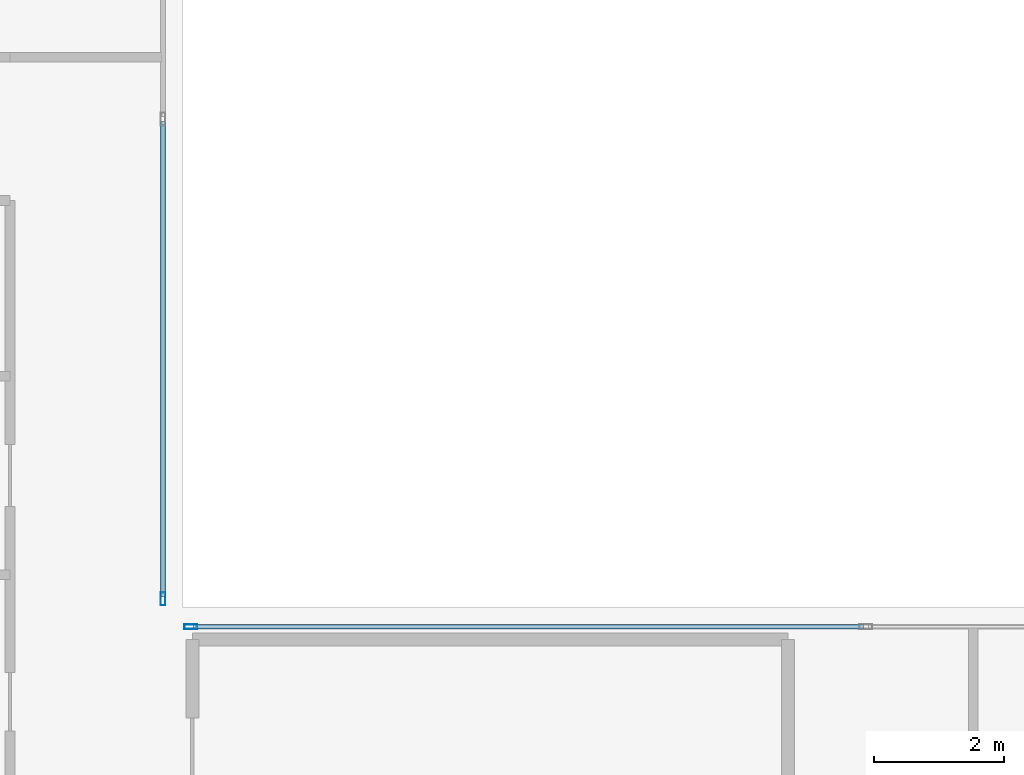
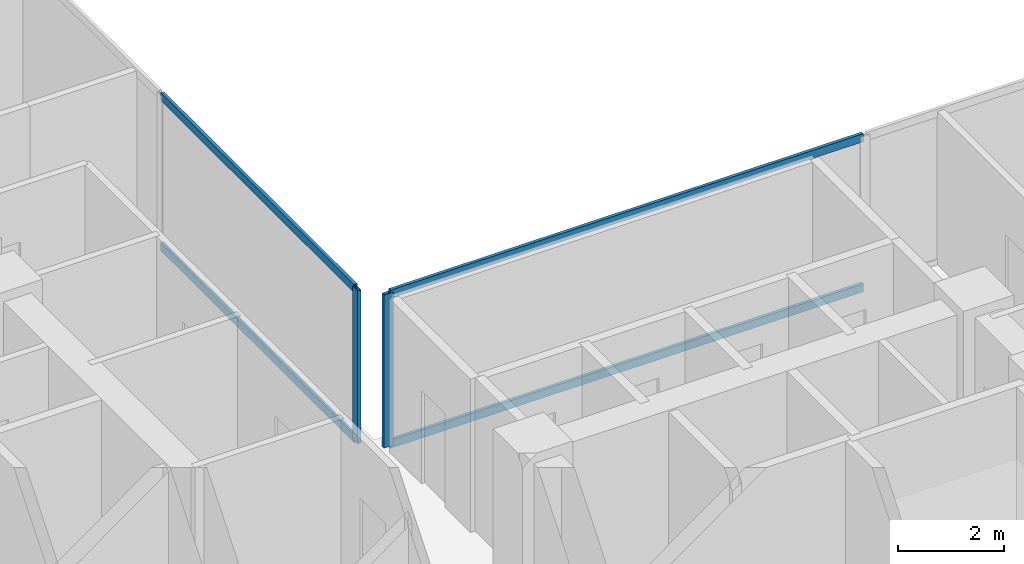
# One storey, part 8 of 24: 6 members, 2 elements without a shape of their own.
"""IFC4 building model written with IfcOpenShell, lengths in metres."""

from ifc_helpers import new_model, si_unit, direction, frame, origin, origin_2d, place, context, subcontext, project, spatial, hollow_rectangle, extrude, material, layer, layer_set, material_profile, profile_set, type_object, element, aggregate, save


model = new_model("IFC4")

# Units and contexts
model_context = context("Model", 3, precision=1e-05, world=origin(), true_north=direction((0.0, 1.0)))
body_context = subcontext(model_context, "Body", "Model", "MODEL_VIEW")
ifc_project = project(units=[si_unit("LENGTHUNIT", "METRE"), si_unit("AREAUNIT", "SQUARE_METRE"), si_unit("VOLUMEUNIT", "CUBIC_METRE"), si_unit("PLANEANGLEUNIT", "RADIAN"), si_unit("MASSUNIT", "GRAM", prefix="KILO"), si_unit("THERMODYNAMICTEMPERATUREUNIT", "KELVIN"), si_unit("POWERUNIT", "WATT")], contexts=[model_context])

# Site, building, storey
site_placement = place(None, origin())
site = spatial("IfcSite", under=ifc_project, at=site_placement, CompositionType="ELEMENT")
building_placement = place(site_placement, origin())
building = spatial("IfcBuilding", under=site, at=building_placement, Name="Svarakhadi Broadcast Tower", CompositionType="ELEMENT")
storey_placement = place(building_placement, frame((0.0, 0.0, 130.64990234375)))
storey = spatial("IfcBuildingStorey", under=building, at=storey_placement, Name="L31", CompositionType="ELEMENT", Elevation=130.64990234375)

# Curtain wall, member
ifc_material = material(Name="Anodised Bronze Aluminium AA 6063-T6", Category="aluminium")
ifc_layer = layer(ifc_material, 0.199951171875)
ifc_layer_set = layer_set([ifc_layer], Name="Anodised Bronze Aluminium AA 6063-T6")
curtain_wall_type = type_object("IfcCurtainWallType", Name="CW_Sys_03", PredefinedType="NOTDEFINED", material=ifc_layer_set)
curtain_wall_1_placement = place(storey_placement, origin())
curtain_wall_1 = element("IfcCurtainWall", 1, at=curtain_wall_1_placement, inside=storey, type_object=curtain_wall_type, Name="L31 Unitised Facade Curtain Wall 09", PredefinedType="NOTDEFINED")
ifc_material_profile_1 = material_profile(ifc_material, hollow_rectangle(XDim=0.074951171875, YDim=0.199951171875, WallThickness=0.005615234375, at=origin_2d()), Name="ALU MULLION 200x75x6")
ifc_profile_set_1 = profile_set([ifc_material_profile_1], Name="Anodised Bronze Aluminium AA 6063-T6")
member_type_1 = type_object("IfcMemberType", Name="CW_Sys_03_Mul", PredefinedType="MULLION", material=ifc_profile_set_1)
member_1_placement = place(storey_placement, frame((23.699951171875, 24.12744140625, 0.0), z_axis=(0.0, 0.0, 1.0), x_axis=(1.0, 0.0, 0.0)))
member_1 = element("IfcMember", 2, at=member_1_placement, type_object=member_type_1, Name="CW-03 mullion 3", PredefinedType="MULLION", context=body_context, shape_type="SweptSolid", body=[
    extrude(hollow_rectangle(XDim=0.074951171875, YDim=0.199951171875, WallThickness=0.005615234375, at=origin_2d()), origin(), (0.0, 0.0, 1.0), 3.525146484375),
])

curtain_wall_2_placement = place(storey_placement, origin())
curtain_wall_2 = element("IfcCurtainWall", 3, at=curtain_wall_2_placement, inside=storey, type_object=curtain_wall_type, Name="L31 Unitised Facade Curtain Wall 10", PredefinedType="NOTDEFINED")
member_2_placement = place(storey_placement, frame((24.12744140625, 23.699951171875, 0.0), z_axis=(0.0, 0.0, 1.0), x_axis=(0.0, 1.0, 0.0)))
member_2 = element("IfcMember", 4, at=member_2_placement, type_object=member_type_1, Name="CW-03 mullion 1", PredefinedType="MULLION", context=body_context, shape_type="SweptSolid", body=[
    extrude(hollow_rectangle(XDim=0.074951171875, YDim=0.199951171875, WallThickness=0.005615234375, at=origin_2d()), origin(), (0.0, 0.0, 1.0), 3.525146484375),
])

# Member
ifc_material_profile_2 = material_profile(ifc_material, hollow_rectangle(XDim=0.070068359375, YDim=0.18505859375, WallThickness=0.0048828125, at=origin_2d()), Name="ALU TRANSOM 185x70x5")
ifc_profile_set_2 = profile_set([ifc_material_profile_2], Name="Anodised Bronze Aluminium AA 6063-T6")
member_type_2 = type_object("IfcMemberType", Name="CW_Sys_03_Trn", PredefinedType="USERDEFINED", material=ifc_profile_set_2)
member_3_placement = place(storey_placement, frame((23.699951171875, 31.46240234375, 0.03515625), z_axis=(0.0, -1.0, 0.0), x_axis=(1.0, 0.0, 0.0)))
member_3 = element("IfcMember", 5, at=member_3_placement, type_object=member_type_2, Name="CW-03 transom 2.1", ObjectType="TRANSOM", PredefinedType="USERDEFINED", context=body_context, shape_type="SweptSolid", body=[
    extrude(hollow_rectangle(XDim=0.070068359375, YDim=0.18505859375, WallThickness=0.0048828125, at=origin_2d()), origin(), (0.0, 0.0, 1.0), 7.29736328125),
])

member_4_placement = place(storey_placement, frame((23.699951171875, 31.46240234375, 3.489990234375), z_axis=(0.0, -1.0, 0.0), x_axis=(1.0, 0.0, 0.0)))
member_4 = element("IfcMember", 6, at=member_4_placement, type_object=member_type_2, Name="CW-03 transom 2.2", ObjectType="TRANSOM", PredefinedType="USERDEFINED", context=body_context, shape_type="SweptSolid", body=[
    extrude(hollow_rectangle(XDim=0.070068359375, YDim=0.18505859375, WallThickness=0.0048828125, at=origin_2d()), origin(), (0.0, 0.0, 1.0), 7.29736328125),
])

aggregate(curtain_wall_1, [member_1, member_3, member_4])

member_5_placement = place(storey_placement, frame((24.1650390625, 23.699951171875, 0.03515625), z_axis=(1.0, 0.0, 0.0), x_axis=(0.0, 1.0, 0.0)))
member_5 = element("IfcMember", 7, at=member_5_placement, type_object=member_type_2, Name="CW-03 transom 1.1", ObjectType="TRANSOM", PredefinedType="USERDEFINED", context=body_context, shape_type="SweptSolid", body=[
    extrude(hollow_rectangle(XDim=0.070068359375, YDim=0.18505859375, WallThickness=0.0048828125, at=origin_2d()), origin(), (0.0, 0.0, 1.0), 10.29736328125),
])

member_6_placement = place(storey_placement, frame((24.1650390625, 23.699951171875, 3.489990234375), z_axis=(1.0, 0.0, 0.0), x_axis=(0.0, 1.0, 0.0)))
member_6 = element("IfcMember", 8, at=member_6_placement, type_object=member_type_2, Name="CW-03 transom 1.2", ObjectType="TRANSOM", PredefinedType="USERDEFINED", context=body_context, shape_type="SweptSolid", body=[
    extrude(hollow_rectangle(XDim=0.070068359375, YDim=0.18505859375, WallThickness=0.0048828125, at=origin_2d()), origin(), (0.0, 0.0, 1.0), 10.29736328125),
])

aggregate(curtain_wall_2, [member_2, member_5, member_6])

save(model, "model.ifc")
